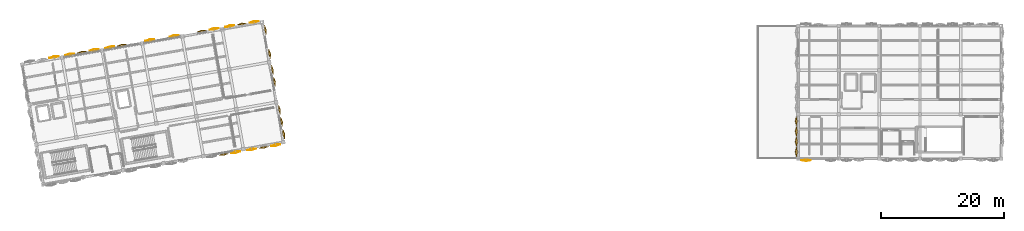
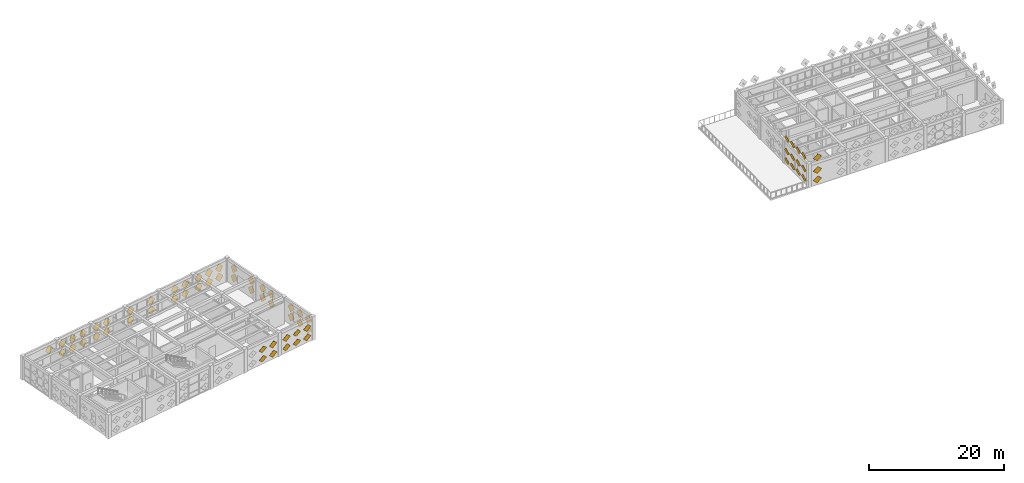
# One storey, part 27 of 29: 64 coverings.
"""IFC4 building model written with IfcOpenShell, lengths in metres."""

from ifc_helpers import new_model, si_unit, direction, frame, origin, place, context, subcontext, project, spatial, polyline, outline, extrude, material, type_object, element, save


model = new_model("IFC4")

# Units and contexts
model_context = context("Model", 3, precision=1e-05, world=origin(), true_north=direction((0.0, 1.0)))
body_context = subcontext(model_context, "Body", "Model", "MODEL_VIEW")
ifc_project = project(units=[si_unit("LENGTHUNIT", "METRE"), si_unit("AREAUNIT", "SQUARE_METRE"), si_unit("VOLUMEUNIT", "CUBIC_METRE"), si_unit("PLANEANGLEUNIT", "RADIAN"), si_unit("MASSUNIT", "GRAM", prefix="KILO")], contexts=[model_context])

# Site, building, storey
site_placement = place(None, origin())
site = spatial("IfcSite", under=ifc_project, at=site_placement, CompositionType="ELEMENT")
building_placement = place(site_placement, origin())
building = spatial("IfcBuilding", under=site, at=building_placement, Name="Kharisveld Research Institute", CompositionType="ELEMENT")
storey_placement = place(building_placement, frame((0.0, 0.0, 32.10009765625)))
storey = spatial("IfcBuildingStorey", under=building, at=storey_placement, Name="L07", CompositionType="ELEMENT", Elevation=32.10009765625)

# Coverings
ifc_material = material(Name="White Powder-Coated Perforated Aluminium", Category="aluminium")
covering_type = type_object("IfcCoveringType", Name="CV_DIA_105", PredefinedType="CLADDING")
covering_1_placement = place(storey_placement, frame((6.960693359375, 55.5654296875, 2.017578125), z_axis=(0.171391321025, -0.971271535422, 0.16509578903), x_axis=(0.676038293912, 0.237842070836, 0.697426250226)))
element("IfcCovering", 1, at=covering_1_placement, inside=storey, type_object=covering_type, material=ifc_material, Name="SHD:V1:L07:N0:S2C1", PredefinedType="CLADDING", context=body_context, shape_type="SweptSolid", body=[
    extrude(outline(polyline([(0.0, 0.0), (1.0501734735939505, -1.1102230246251565e-16), (1.0501599658262741, 1.049914856993047), (0.00015676231294525778, 1.0500851159819262), (0.0, 0.0)])), origin(), (0.0, 0.0, -1.0), 0.02392578125),
])
covering_2_placement = place(storey_placement, frame((9.5146484375, 56.015869140625, 0.317626953125), z_axis=(0.171237830585, -0.971320648866, 0.164966064583), x_axis=(0.676188457252, 0.237643325501, 0.697348420894)))
element("IfcCovering", 2, at=covering_2_placement, inside=storey, type_object=covering_type, material=ifc_material, Name="SHD:V1:L07:N1:S0C0", PredefinedType="CLADDING", context=body_context, shape_type="SweptSolid", body=[
    extrude(outline(polyline([(0.0, 0.0), (1.0499451725130124, 0.0), (1.0497685064748128, 1.0502600664649298), (-0.00018183204494859329, 1.0499148415275723), (0.0, 0.0)])), origin(), (0.0, 0.0, -1.0), 0.02392578125),
])
covering_3_placement = place(storey_placement, frame((9.5146484375, 56.015869140625, 2.017578125), z_axis=(0.171237830585, -0.971320648866, 0.164966064583), x_axis=(0.676072253132, 0.237642047114, 0.697461515776)))
element("IfcCovering", 3, at=covering_3_placement, inside=storey, type_object=covering_type, material=ifc_material, Name="SHD:V1:L07:N1:S0C1", PredefinedType="CLADDING", context=body_context, shape_type="SweptSolid", body=[
    extrude(outline(polyline([(0.0, 0.0), (1.0501154373989794, 0.0), (1.0499388016086548, 1.0500898234312432), (0.00015869960247516524, 1.0500851150823278), (0.0, 0.0)])), origin(), (0.0, 0.0, -1.0), 0.02392578125),
])
for number, where, z_axis, x_axis, name in (
    (4, (11.494140625, 56.326171875, 0.324951171875), (0.169503194288, -0.961481187298, 0.216385289699), (0.669849989418, 0.273447448775, 0.690309701826), "SHD:V1:L07:N1:S1C0"),
    (5, (11.494140625, 56.326171875, 2.025146484375), (0.169503194288, -0.961481187298, 0.216385289699), (0.669849989418, 0.273447448775, 0.690309701826), "SHD:V1:L07:N1:S1C1"),
):
    element("IfcCovering", number, at=place(storey_placement, frame(where, z_axis=z_axis, x_axis=x_axis)), inside=storey, type_object=covering_type, material=ifc_material, Name=name, PredefinedType="CLADDING", context=body_context, shape_type="SweptSolid", body=[
        extrude(outline(polyline([(0.0, 0.0), (1.0500345517563856, -1.1102230246251565e-16), (1.0498172010450848, 1.0501299743656882), (-5.381311622809637e-05, 1.0499534875988095), (0.0, 0.0)])), origin(), (0.0, 0.0, -1.0), 0.02392578125),
    ])
covering_4_placement = place(storey_placement, frame((13.46044921875, 56.711669921875, 0.317626953125), z_axis=(0.171237830585, -0.971320648866, 0.164966064583), x_axis=(0.676188457252, 0.237643325501, 0.697348420894)))
element("IfcCovering", 6, at=covering_4_placement, inside=storey, type_object=covering_type, material=ifc_material, Name="SHD:V1:L07:N1:S2C0", PredefinedType="CLADDING", context=body_context, shape_type="SweptSolid", body=[
    extrude(outline(polyline([(0.0, 0.0), (1.0499451725130124, 0.0), (1.0497685064748128, 1.0502600664649298), (-0.00018183204494859329, 1.0499148415275723), (0.0, 0.0)])), origin(), (0.0, 0.0, -1.0), 0.02392578125),
])
covering_5_placement = place(storey_placement, frame((13.46044921875, 56.711669921875, 2.017578125), z_axis=(0.171237830585, -0.971320648866, 0.164966064583), x_axis=(0.676072253132, 0.237642047114, 0.697461515776)))
element("IfcCovering", 7, at=covering_5_placement, inside=storey, type_object=covering_type, material=ifc_material, Name="SHD:V1:L07:N1:S2C1", PredefinedType="CLADDING", context=body_context, shape_type="SweptSolid", body=[
    extrude(outline(polyline([(0.0, 0.0), (1.0501154373989794, 0.0), (1.0499388016086548, 1.0500898234312432), (0.00015869960247516524, 1.0500851150823278), (0.0, 0.0)])), origin(), (0.0, 0.0, -1.0), 0.02392578125),
])
covering_6_placement = place(storey_placement, frame((16.014404296875, 57.161865234375, 0.317626953125), z_axis=(0.171260983897, -0.971289803558, 0.165123568578), x_axis=(0.67604629243, 0.23777103681, 0.697442717753)))
element("IfcCovering", 8, at=covering_6_placement, inside=storey, type_object=covering_type, material=ifc_material, Name="SHD:V1:L07:N2:S0C0", PredefinedType="CLADDING", context=body_context, shape_type="SweptSolid", body=[
    extrude(outline(polyline([(0.0, 0.0), (1.049780098206416, 0.0), (1.0500015424873141, 1.050083198396327), (-6.879389649716572e-06, 1.0499148526388677), (0.0, 0.0)])), origin(), (0.0, 0.0, -1.0), 0.02392578125),
])
covering_7_placement = place(storey_placement, frame((16.014404296875, 57.161865234375, 2.017578125), z_axis=(0.171260983897, -0.971289803558, 0.165123568578), x_axis=(0.675930071115, 0.237769766688, 0.697555787741)))
element("IfcCovering", 9, at=covering_7_placement, inside=storey, type_object=covering_type, material=ifc_material, Name="SHD:V1:L07:N2:S0C1", PredefinedType="CLADDING", context=body_context, shape_type="SweptSolid", body=[
    extrude(outline(polyline([(0.0, 0.0), (1.0499503861110382, 2.220446049250313e-16), (1.0501718035814118, 1.0499129229334039), (0.0003336699169195212, 1.0500850657008003), (0.0, 0.0)])), origin(), (0.0, 0.0, -1.0), 0.02392578125),
])
for number, where, z_axis, x_axis, name in (
    (10, (17.993896484375, 57.47216796875, 0.324951171875), (0.169530643305, -0.961476347302, 0.21638529192), (0.669725119033, 0.273471090272, 0.690421485559), "SHD:V1:L07:N2:S1C0"),
    (11, (17.993896484375, 57.47216796875, 2.025146484375), (0.169530643305, -0.961476347302, 0.21638529192), (0.669725119033, 0.273471090272, 0.690421485559), "SHD:V1:L07:N2:S1C1"),
):
    element("IfcCovering", number, at=place(storey_placement, frame(where, z_axis=z_axis, x_axis=x_axis)), inside=storey, type_object=covering_type, material=ifc_material, Name=name, PredefinedType="CLADDING", context=body_context, shape_type="SweptSolid", body=[
        extrude(outline(polyline([(0.0, 0.0), (1.0498710291992122, 0.0), (1.0499937163043682, 1.0499534820137317), (0.00012268710515594972, 1.049953482013732), (0.0, 0.0)])), origin(), (0.0, 0.0, -1.0), 0.02392578125),
    ])
covering_8_placement = place(storey_placement, frame((22.51416015625, 58.307861328125, 0.317626953125), z_axis=(0.171233254714, -0.971294692931, 0.165123565742), x_axis=(0.676051002307, 0.237751711802, 0.697444740331)))
element("IfcCovering", 12, at=covering_8_placement, inside=storey, type_object=covering_type, material=ifc_material, Name="SHD:V1:L07:N3:S0C0", PredefinedType="CLADDING", context=body_context, shape_type="SweptSolid", body=[
    extrude(outline(polyline([(0.0, 0.0), (1.0498381448075151, -1.1102230246251565e-16), (1.0499996374060245, 1.0500851033260192), (-0.00011578865901917812, 1.0500879190619687), (0.0, 0.0)])), origin(), (0.0, 0.0, -1.0), 0.02392578125),
])
covering_9_placement = place(storey_placement, frame((22.51416015625, 58.307861328125, 2.017578125), z_axis=(0.171233254714, -0.971294692931, 0.165123565742), x_axis=(0.6759347874, 0.23775044496, 0.697557803414)))
element("IfcCovering", 13, at=covering_9_placement, inside=storey, type_object=covering_type, material=ifc_material, Name="SHD:V1:L07:N3:S0C1", PredefinedType="CLADDING", context=body_context, shape_type="SweptSolid", body=[
    extrude(outline(polyline([(0.0, 0.0), (1.0500084332050879, 2.220446049250313e-16), (1.0501698889036777, 1.049914838079754), (0.00022477929746034242, 1.0502581492900183), (0.0, 0.0)])), origin(), (0.0, 0.0, -1.0), 0.02392578125),
])
covering_10_placement = place(storey_placement, frame((26.4599609375, 59.003662109375, 0.317626953125), z_axis=(0.171390512545, -0.971266953781, 0.165123580094), x_axis=(0.676031665614, 0.237861388292, 0.697426087157)))
element("IfcCovering", 14, at=covering_10_placement, inside=storey, type_object=covering_type, material=ifc_material, Name="SHD:V1:L07:N3:S2C0", PredefinedType="CLADDING", context=body_context, shape_type="SweptSolid", body=[
    extrude(outline(polyline([(0.0, 0.0), (1.0498381561391876, -1.1102230246251565e-16), (1.0499996260726088, 1.050085114658512), (-0.00017384690075150644, 1.050089823895179), (0.0, 0.0)])), origin(), (0.0, 0.0, -1.0), 0.02392578125),
])
covering_11_placement = place(storey_placement, frame((26.4599609375, 59.003662109375, 2.017578125), z_axis=(0.171390512545, -0.971266953781, 0.165123580094), x_axis=(0.675915450738, 0.237860103633, 0.697539156287)))
element("IfcCovering", 15, at=covering_11_placement, inside=storey, type_object=covering_type, material=ifc_material, Name="SHD:V1:L07:N3:S2C1", PredefinedType="CLADDING", context=body_context, shape_type="SweptSolid", body=[
    extrude(outline(polyline([(0.0, 0.0), (1.0500084399835008, 1.1102230246251565e-16), (1.050169882124222, 1.0499148448608564), (0.00016672136570894391, 1.0502600680906586), (0.0, 0.0)])), origin(), (0.0, 0.0, -1.0), 0.02392578125),
])
for number, where, z_axis, x_axis, name in (
    (16, (30.993408203125, 59.764404296875, 0.324951171875), (0.169503194288, -0.961481187298, 0.216385289699), (0.669728459805, 0.273452141042, 0.690425750307), "SHD:V1:L07:N4:S1C0"),
    (17, (30.993408203125, 59.764404296875, 2.025146484375), (0.169503194288, -0.961481187298, 0.216385289699), (0.669728459805, 0.273452141042, 0.690425750307), "SHD:V1:L07:N4:S1C1"),
):
    element("IfcCovering", number, at=place(storey_placement, frame(where, z_axis=z_axis, x_axis=x_axis)), inside=storey, type_object=covering_type, material=ifc_material, Name=name, PredefinedType="CLADDING", context=body_context, shape_type="SweptSolid", body=[
        extrude(outline(polyline([(0.0, 0.0), (1.0498710289953155, -1.1102230246251565e-16), (1.0499937165082887, 1.0499534818098035), (-4.082041178410378e-05, 1.0501299960653954), (0.0, 0.0)])), origin(), (0.0, 0.0, -1.0), 0.02392578125),
    ])
covering_12_placement = place(storey_placement, frame((32.95947265625, 60.14990234375, 0.317626953125), z_axis=(0.171238636855, -0.971325222312, 0.164938296792), x_axis=(0.676191865964, 0.23762399085, 0.697351704219)))
element("IfcCovering", 18, at=covering_12_placement, inside=storey, type_object=covering_type, material=ifc_material, Name="SHD:V1:L07:N4:S2C0", PredefinedType="CLADDING", context=body_context, shape_type="SweptSolid", body=[
    extrude(outline(polyline([(0.0, 0.0), (1.0499451723202433, -1.1102230246251565e-16), (1.0499335917706356, 1.0500851276195962), (-0.00018183243052050102, 1.0499148413347306), (0.0, 0.0)])), origin(), (0.0, 0.0, -1.0), 0.02392578125),
])
covering_13_placement = place(storey_placement, frame((32.95947265625, 60.14990234375, 2.017578125), z_axis=(0.171238636855, -0.971325222312, 0.164938296792), x_axis=(0.676075661849, 0.237622709321, 0.697464800165)))
element("IfcCovering", 19, at=covering_13_placement, inside=storey, type_object=covering_type, material=ifc_material, Name="SHD:V1:L07:N4:S2C1", PredefinedType="CLADDING", context=body_context, shape_type="SweptSolid", body=[
    extrude(outline(polyline([(0.0, 0.0), (1.050115438007933, 0.0), (1.0501038593359955, 1.049914857016463), (0.00015870082029023624, 1.050085115691115), (0.0, 0.0)])), origin(), (0.0, 0.0, -1.0), 0.02392578125),
])
covering_14_placement = place(storey_placement, frame((35.513427734375, 60.60009765625, 0.317626953125), z_axis=(0.171234061711, -0.9712992705, 0.165095800177), x_axis=(0.676172534966, 0.237733660148, 0.69733306948)))
element("IfcCovering", 20, at=covering_14_placement, inside=storey, type_object=covering_type, material=ifc_material, Name="SHD:V1:L07:N5:S0C0", PredefinedType="CLADDING", context=body_context, shape_type="SweptSolid", body=[
    extrude(outline(polyline([(0.0, 0.0), (1.049945167901042, 2.220446049250313e-16), (1.0499916144071415, 1.0500832207180806), (-0.0001818412696886762, 1.0499148369138707), (0.0, 0.0)])), origin(), (0.0, 0.0, -1.0), 0.02392578125),
])
covering_15_placement = place(storey_placement, frame((35.513427734375, 60.60009765625, 2.017578125), z_axis=(0.171234061711, -0.9712992705, 0.165095800177), x_axis=(0.67605633082, 0.237732396439, 0.697446159385)))
element("IfcCovering", 21, at=covering_15_placement, inside=storey, type_object=covering_type, material=ifc_material, Name="SHD:V1:L07:N5:S0C1", PredefinedType="CLADDING", context=body_context, shape_type="SweptSolid", body=[
    extrude(outline(polyline([(0.0, 0.0), (1.050115429038497, -1.1102230246251565e-16), (1.0501618771158647, 1.0499129452537745), (0.00015868288277420817, 1.050085106724131), (0.0, 0.0)])), origin(), (0.0, 0.0, -1.0), 0.02392578125),
])
for number, where, z_axis, x_axis, name in (
    (22, (37.4931640625, 60.910400390625, 0.324951171875), (0.169497253476, -0.961447488939, 0.216539620108), (0.669709514325, 0.273559622879, 0.690401549211), "SHD:V1:L07:N5:S1C0"),
    (23, (37.4931640625, 60.910400390625, 2.025146484375), (0.169497253476, -0.961447488939, 0.216539620108), (0.669709514325, 0.273559622879, 0.690401549211), "SHD:V1:L07:N5:S1C1"),
):
    element("IfcCovering", number, at=place(storey_placement, frame(where, z_axis=z_axis, x_axis=x_axis)), inside=storey, type_object=covering_type, material=ifc_material, Name=name, PredefinedType="CLADDING", context=body_context, shape_type="SweptSolid", body=[
        extrude(outline(polyline([(0.0, 0.0), (1.0498710247482905, 1.1102230246251565e-16), (1.0500604861589913, 1.0499603082606803), (-4.0828905999434895e-05, 1.0501299918190874), (0.0, 0.0)])), origin(), (0.0, 0.0, -1.0), 0.02392578125),
    ])
covering_16_placement = place(storey_placement, frame((39.459228515625, 61.2958984375, 0.317626953125), z_axis=(0.171238636855, -0.971325222312, 0.164938296792), x_axis=(0.676191865964, 0.23762399085, 0.697351704219)))
element("IfcCovering", 24, at=covering_16_placement, inside=storey, type_object=covering_type, material=ifc_material, Name="SHD:V1:L07:N5:S2C0", PredefinedType="CLADDING", context=body_context, shape_type="SweptSolid", body=[
    extrude(outline(polyline([(0.0, 0.0), (1.0499451723202433, -1.1102230246251565e-16), (1.0499335917706356, 1.0500851276195962), (-0.00018183243052050102, 1.0499148413347306), (0.0, 0.0)])), origin(), (0.0, 0.0, -1.0), 0.02392578125),
])
covering_17_placement = place(storey_placement, frame((39.459228515625, 61.2958984375, 2.017578125), z_axis=(0.171238636855, -0.971325222312, 0.164938296792), x_axis=(0.676075661849, 0.237622709321, 0.697464800165)))
element("IfcCovering", 25, at=covering_17_placement, inside=storey, type_object=covering_type, material=ifc_material, Name="SHD:V1:L07:N5:S2C1", PredefinedType="CLADDING", context=body_context, shape_type="SweptSolid", body=[
    extrude(outline(polyline([(0.0, 0.0), (1.050115438007933, 0.0), (1.0501038593359955, 1.049914857016463), (0.00015870082029023624, 1.050085115691115), (0.0, 0.0)])), origin(), (0.0, 0.0, -1.0), 0.02392578125),
])
for number, where, z_axis, x_axis, name in (
    (26, (41.0830078125, 60.1259765625, 0.324951171875), (-0.961453431325, -0.169498301082, 0.216512413788), (0.273536150679, -0.669829678259, 0.690294267972), "SHD:V1:L07:E3:S0C0"),
    (27, (41.0830078125, 60.1259765625, 2.025146484375), (-0.961453431325, -0.169498301082, 0.216512413788), (0.273536150679, -0.669829678259, 0.690294267972), "SHD:V1:L07:E3:S0C1"),
):
    element("IfcCovering", number, at=place(storey_placement, frame(where, z_axis=z_axis, x_axis=x_axis)), inside=storey, type_object=covering_type, material=ifc_material, Name=name, PredefinedType="CLADDING", context=body_context, shape_type="SweptSolid", body=[
        extrude(outline(polyline([(0.0, 0.0), (1.050101326665668, -1.1102230246251565e-16), (1.050054341798497, 1.049953481570866), (1.9796419616024963e-05, 1.0499603230588543), (0.0, 0.0)])), origin(), (0.0, 0.0, -1.0), 0.02392578125),
    ])
for number, where, z_axis, x_axis, name in (
    (28, (41.77880859375, 56.18017578125, 0.324951171875), (-0.961425979727, -0.169653966706, 0.216512394765), (0.27364360613, -0.669810730042, 0.69027006508), "SHD:V1:L07:E3:S2C0"),
    (29, (41.77880859375, 56.18017578125, 2.025146484375), (-0.961425979727, -0.169653966706, 0.216512394765), (0.27364360613, -0.669810730042, 0.69027006508), "SHD:V1:L07:E3:S2C1"),
):
    element("IfcCovering", number, at=place(storey_placement, frame(where, z_axis=z_axis, x_axis=x_axis)), inside=storey, type_object=covering_type, material=ifc_material, Name=name, PredefinedType="CLADDING", context=body_context, shape_type="SweptSolid", body=[
        extrude(outline(polyline([(0.0, 0.0), (1.0501013332243323, 1.1102230246251565e-16), (1.050054335240126, 1.049953488129867), (-4.699798420648715e-05, 1.049953488129867), (0.0, 0.0)])), origin(), (0.0, 0.0, -1.0), 0.02392578125),
    ])
for number, where, z_axis, x_axis, name in (
    (30, (42.229248046875, 53.626220703125, 0.324951171875), (-0.961481187298, -0.169503194288, 0.216385289699), (0.273447448775, -0.669849989418, 0.690309701826), "SHD:V1:L07:E2:S0C0"),
    (31, (42.229248046875, 53.626220703125, 2.025146484375), (-0.961481187298, -0.169503194288, 0.216385289699), (0.273447448775, -0.669849989418, 0.690309701826), "SHD:V1:L07:E2:S0C1"),
    (32, (42.5771484375, 51.6533203125, 0.324951171875), (-0.961481187298, -0.169503194288, 0.216385289699), (0.273447448775, -0.669849989418, 0.690309701826), "SHD:V1:L07:E2:S1C0"),
    (33, (42.5771484375, 51.6533203125, 2.025146484375), (-0.961481187298, -0.169503194288, 0.216385289699), (0.273447448775, -0.669849989418, 0.690309701826), "SHD:V1:L07:E2:S1C1"),
):
    element("IfcCovering", number, at=place(storey_placement, frame(where, z_axis=z_axis, x_axis=x_axis)), inside=storey, type_object=covering_type, material=ifc_material, Name=name, PredefinedType="CLADDING", context=body_context, shape_type="SweptSolid", body=[
        extrude(outline(polyline([(0.0, 0.0), (1.0500345517563856, -1.1102230246251565e-16), (1.0498172010450848, 1.0501299743656882), (-5.381311622809637e-05, 1.0499534875988095), (0.0, 0.0)])), origin(), (0.0, 0.0, -1.0), 0.02392578125),
    ])
for number, where, z_axis, x_axis, name in (
    (34, (43.375244140625, 47.12646484375, 0.324951171875), (-0.961447488939, -0.169497253476, 0.216539620108), (0.273554912423, -0.669831050307, 0.690285501755), "SHD:V1:L07:E1:S0C0"),
    (35, (43.375244140625, 47.12646484375, 2.025146484375), (-0.961447488939, -0.169497253476, 0.216539620108), (0.273554912423, -0.669831050307, 0.690285501755), "SHD:V1:L07:E1:S0C1"),
):
    element("IfcCovering", number, at=place(storey_placement, frame(where, z_axis=z_axis, x_axis=x_axis)), inside=storey, type_object=covering_type, material=ifc_material, Name=name, PredefinedType="CLADDING", context=body_context, shape_type="SweptSolid", body=[
        extrude(outline(polyline([(0.0, 0.0), (1.0500345428847768, 1.1102230246251565e-16), (1.0498839649209004, 1.0501368166659475), (-5.383085990073866e-05, 1.0499534787256062), (0.0, 0.0)])), origin(), (0.0, 0.0, -1.0), 0.02392578125),
    ])
for number, where, z_axis, x_axis, name in (
    (36, (43.72314453125, 45.153564453125, 0.324951171875), (-0.961481187298, -0.169503194288, 0.216385289699), (0.273447448775, -0.669849989418, 0.690309701826), "SHD:V1:L07:E1:S1C0"),
    (37, (43.72314453125, 45.153564453125, 2.025146484375), (-0.961481187298, -0.169503194288, 0.216385289699), (0.273447448775, -0.669849989418, 0.690309701826), "SHD:V1:L07:E1:S1C1"),
    (38, (44.071044921875, 43.1806640625, 0.324951171875), (-0.961481187298, -0.169503194288, 0.216385289699), (0.273447448775, -0.669849989418, 0.690309701826), "SHD:V1:L07:E1:S2C0"),
    (39, (44.071044921875, 43.1806640625, 2.025146484375), (-0.961481187298, -0.169503194288, 0.216385289699), (0.273447448775, -0.669849989418, 0.690309701826), "SHD:V1:L07:E1:S2C1"),
):
    element("IfcCovering", number, at=place(storey_placement, frame(where, z_axis=z_axis, x_axis=x_axis)), inside=storey, type_object=covering_type, material=ifc_material, Name=name, PredefinedType="CLADDING", context=body_context, shape_type="SweptSolid", body=[
        extrude(outline(polyline([(0.0, 0.0), (1.0500345517563856, -1.1102230246251565e-16), (1.0498172010450848, 1.0501299743656882), (-5.381311622809637e-05, 1.0499534875988095), (0.0, 0.0)])), origin(), (0.0, 0.0, -1.0), 0.02392578125),
    ])
covering_18_placement = place(storey_placement, frame((42.9453125, 41.52587890625, 0.317626953125), z_axis=(-0.171238636855, 0.971325222312, 0.164938296792), x_axis=(-0.676191865964, -0.23762399085, 0.697351704219)))
element("IfcCovering", 40, at=covering_18_placement, inside=storey, type_object=covering_type, material=ifc_material, Name="SHD:V1:L07:S6:S0C0", PredefinedType="CLADDING", context=body_context, shape_type="SweptSolid", body=[
    extrude(outline(polyline([(0.0, 0.0), (1.0499451723202433, -1.1102230246251565e-16), (1.0499335917706356, 1.0500851276195962), (-0.00018183243052050102, 1.0499148413347306), (0.0, 0.0)])), origin(), (0.0, 0.0, -1.0), 0.02392578125),
])
covering_19_placement = place(storey_placement, frame((42.9453125, 41.52587890625, 2.017578125), z_axis=(-0.171238636855, 0.971325222312, 0.164938296792), x_axis=(-0.676075661849, -0.237622709321, 0.697464800165)))
element("IfcCovering", 41, at=covering_19_placement, inside=storey, type_object=covering_type, material=ifc_material, Name="SHD:V1:L07:S6:S0C1", PredefinedType="CLADDING", context=body_context, shape_type="SweptSolid", body=[
    extrude(outline(polyline([(0.0, 0.0), (1.050115438007933, 0.0), (1.0501038593359955, 1.049914857016463), (0.00015870082029023624, 1.050085115691115), (0.0, 0.0)])), origin(), (0.0, 0.0, -1.0), 0.02392578125),
])
for number, where, z_axis, x_axis, name in (
    (42, (40.9658203125, 41.215576171875, 0.324951171875), (-0.169504241221, 0.961487125864, 0.216358080518), (-0.669853329409, -0.27342850239, 0.690313965642), "SHD:V1:L07:S6:S1C0"),
    (43, (40.9658203125, 41.215576171875, 2.025146484375), (-0.169504241221, 0.961487125864, 0.216358080518), (-0.669853329409, -0.27342850239, 0.690313965642), "SHD:V1:L07:S6:S1C1"),
):
    element("IfcCovering", number, at=place(storey_placement, frame(where, z_axis=z_axis, x_axis=x_axis)), inside=storey, type_object=covering_type, material=ifc_material, Name=name, PredefinedType="CLADDING", context=body_context, shape_type="SweptSolid", body=[
        extrude(outline(polyline([(0.0, 0.0), (1.0500345519602505, 0.0), (1.0499807392517624, 1.0499534878027108), (-5.381270848814346e-05, 1.049953487802711), (0.0, 0.0)])), origin(), (0.0, 0.0, -1.0), 0.02392578125),
    ])
covering_20_placement = place(storey_placement, frame((38.99951171875, 40.830078125, 0.317626953125), z_axis=(-0.171238636855, 0.971325222312, 0.164938296792), x_axis=(-0.676191865964, -0.23762399085, 0.697351704219)))
element("IfcCovering", 44, at=covering_20_placement, inside=storey, type_object=covering_type, material=ifc_material, Name="SHD:V1:L07:S6:S2C0", PredefinedType="CLADDING", context=body_context, shape_type="SweptSolid", body=[
    extrude(outline(polyline([(0.0, 0.0), (1.0499451723202433, -1.1102230246251565e-16), (1.0499335917706356, 1.0500851276195962), (-0.00018183243052050102, 1.0499148413347306), (0.0, 0.0)])), origin(), (0.0, 0.0, -1.0), 0.02392578125),
])
covering_21_placement = place(storey_placement, frame((38.99951171875, 40.830078125, 2.017578125), z_axis=(-0.171238636855, 0.971325222312, 0.164938296792), x_axis=(-0.676075661849, -0.237622709321, 0.697464800165)))
element("IfcCovering", 45, at=covering_21_placement, inside=storey, type_object=covering_type, material=ifc_material, Name="SHD:V1:L07:S6:S2C1", PredefinedType="CLADDING", context=body_context, shape_type="SweptSolid", body=[
    extrude(outline(polyline([(0.0, 0.0), (1.050115438007933, 0.0), (1.0501038593359955, 1.049914857016463), (0.00015870082029023624, 1.050085115691115), (0.0, 0.0)])), origin(), (0.0, 0.0, -1.0), 0.02392578125),
])
covering_22_placement = place(storey_placement, frame((36.445556640625, 40.3798828125, 0.317626953125), z_axis=(-0.171391321025, 0.971271535422, 0.16509578903), x_axis=(-0.676154491616, -0.237843352225, 0.697313160116)))
element("IfcCovering", 46, at=covering_22_placement, inside=storey, type_object=covering_type, material=ifc_material, Name="SHD:V1:L07:S5:S0C0", PredefinedType="CLADDING", context=body_context, shape_type="SweptSolid", body=[
    extrude(outline(polyline([(0.0, 0.0), (1.050003217317155, -1.1102230246251565e-16), (1.0499897073592166, 1.0500851275961767), (-0.00018375242866985886, 1.0499148410000858), (0.0, 0.0)])), origin(), (0.0, 0.0, -1.0), 0.02392578125),
])
covering_23_placement = place(storey_placement, frame((36.445556640625, 40.3798828125, 2.017578125), z_axis=(-0.171391321025, 0.971271535422, 0.16509578903), x_axis=(-0.676038293912, -0.237842070836, 0.697426250226)))
element("IfcCovering", 47, at=covering_23_placement, inside=storey, type_object=covering_type, material=ifc_material, Name="SHD:V1:L07:S5:S0C1", PredefinedType="CLADDING", context=body_context, shape_type="SweptSolid", body=[
    extrude(outline(polyline([(0.0, 0.0), (1.0501734735939505, -1.1102230246251565e-16), (1.0501599658262741, 1.049914856993047), (0.00015676231294525778, 1.0500851159819262), (0.0, 0.0)])), origin(), (0.0, 0.0, -1.0), 0.02392578125),
])
for number, where, z_axis, x_axis, name in (
    (48, (34.466064453125, 40.069580078125, 0.324951171875), (-0.169498301082, 0.961453431325, 0.216512413788), (-0.669834388355, -0.273535968092, 0.690289769834), "SHD:V1:L07:S5:S1C0"),
    (49, (34.466064453125, 40.069580078125, 2.025146484375), (-0.169498301082, 0.961453431325, 0.216512413788), (-0.669834388355, -0.273535968092, 0.690289769834), "SHD:V1:L07:S5:S1C1"),
):
    element("IfcCovering", number, at=place(storey_placement, frame(where, z_axis=z_axis, x_axis=x_axis)), inside=storey, type_object=covering_type, material=ifc_material, Name=name, PredefinedType="CLADDING", context=body_context, shape_type="SweptSolid", body=[
        extrude(outline(polyline([(0.0, 0.0), (1.0500345454011688, 0.0), (1.0500475008163912, 1.049960323165551), (-5.3825826987430325e-05, 1.0499534812424507), (0.0, 0.0)])), origin(), (0.0, 0.0, -1.0), 0.02392578125),
    ])
for number, where, z_axis, x_axis, name in (
    (50, (127.70068359375, 40.302490234375, 0.324951171875), (0.97631069788, 0.0, 0.216373337556), (-0.153000063457, 0.707102116981, 0.6903604687), "SHD:V2:L07:W0:S0C0"),
    (51, (127.70068359375, 40.302490234375, 2.025146484375), (0.97631069788, 0.0, 0.216373337556), (-0.153000063457, 0.707102116981, 0.6903604687), "SHD:V2:L07:W0:S0C1"),
    (52, (127.70068359375, 40.302490234375, 4.324951171875), (0.97631069788, 0.0, 0.216373337556), (-0.153000063457, 0.707102116981, 0.6903604687), "SHD:V2:L07:W0:S0C2"),
    (53, (127.70068359375, 41.967529296875, 0.324951171875), (0.97631069788, 0.0, 0.216373337556), (-0.153000063457, 0.707102116981, 0.6903604687), "SHD:V2:L07:W0:S1C0"),
    (54, (127.70068359375, 41.967529296875, 2.025146484375), (0.97631069788, 0.0, 0.216373337556), (-0.153000063457, 0.707102116981, 0.6903604687), "SHD:V2:L07:W0:S1C1"),
    (55, (127.70068359375, 41.967529296875, 4.324951171875), (0.97631069788, 0.0, 0.216373337556), (-0.153000063457, 0.707102116981, 0.6903604687), "SHD:V2:L07:W0:S1C2"),
    (56, (127.70068359375, 43.632568359375, 0.324951171875), (0.97631069788, 0.0, 0.216373337556), (-0.153000063457, 0.707102116981, 0.6903604687), "SHD:V2:L07:W0:S2C0"),
    (57, (127.70068359375, 43.632568359375, 2.025146484375), (0.97631069788, 0.0, 0.216373337556), (-0.153000063457, 0.707102116981, 0.6903604687), "SHD:V2:L07:W0:S2C1"),
    (58, (127.70068359375, 43.632568359375, 4.324951171875), (0.97631069788, 0.0, 0.216373337556), (-0.153000063457, 0.707102116981, 0.6903604687), "SHD:V2:L07:W0:S2C2"),
):
    element("IfcCovering", number, at=place(storey_placement, frame(where, z_axis=z_axis, x_axis=x_axis)), inside=storey, type_object=covering_type, material=ifc_material, Name=name, PredefinedType="CLADDING", context=body_context, shape_type="SweptSolid", body=[
        extrude(outline(polyline([(0.0, 0.0), (1.0499638210603182, 0.0), (1.0499776725217052, 1.0499638209689517), (1.3851461386993336e-05, 1.0499638209689517), (0.0, 0.0)])), origin(), (0.0, 0.0, -1.0), 0.02392578125),
    ])
for number, where, z_axis, x_axis, name in (
    (59, (127.70068359375, 45.297607421875, 0.324951171875), (0.97631069788, 0.0, 0.216373337556), (-0.153000063457, 0.707102116981, 0.6903604687), "SHD:V2:L07:W0:S3C0"),
    (60, (127.70068359375, 45.297607421875, 2.025146484375), (0.97631069788, 0.0, 0.216373337556), (-0.153000063457, 0.707102116981, 0.6903604687), "SHD:V2:L07:W0:S3C1"),
    (61, (127.70068359375, 45.297607421875, 4.324951171875), (0.97631069788, 0.0, 0.216373337556), (-0.153000063457, 0.707102116981, 0.6903604687), "SHD:V2:L07:W0:S3C2"),
):
    element("IfcCovering", number, at=place(storey_placement, frame(where, z_axis=z_axis, x_axis=x_axis)), inside=storey, type_object=covering_type, material=ifc_material, Name=name, PredefinedType="CLADDING", context=body_context, shape_type="SweptSolid", body=[
        extrude(outline(polyline([(0.0, 0.0), (1.0499638210603182, 0.0), (1.0499776725217052, 1.0499638209689517), (-0.00015878089139154117, 1.050136455599167), (0.0, 0.0)])), origin(), (0.0, 0.0, -1.0), 0.02392578125),
    ])
covering_24_placement = place(storey_placement, frame((129.080078125, 39.0625, 0.317626953125), z_axis=(0.0, 0.986282612269, 0.165065468031), x_axis=(-0.707138821552, -0.116713622787, 0.697375521014)))
element("IfcCovering", 62, at=covering_24_placement, inside=storey, type_object=covering_type, material=ifc_material, Name="SHD:V2:L07:S3:S2C0", PredefinedType="CLADDING", context=body_context, shape_type="SweptSolid", body=[
    extrude(outline(polyline([(0.0, 0.0), (1.049909321899567, 0.0), (1.0499844306250534, 1.0500795907141018), (-9.51489700736774e-05, 1.049909317588087), (0.0, 0.0)])), origin(), (0.0, 0.0, -1.0), 0.02392578125),
])
covering_25_placement = place(storey_placement, frame((129.080078125, 39.0625, 2.017578125), z_axis=(0.0, 0.986282612269, 0.165065468031), x_axis=(-0.707024158255, -0.116732548384, 0.697488603341)))
element("IfcCovering", 63, at=covering_25_placement, inside=storey, type_object=covering_type, material=ifc_material, Name="SHD:V2:L07:S3:S2C1", PredefinedType="CLADDING", context=body_context, shape_type="SweptSolid", body=[
    extrude(outline(polyline([(0.0, 0.0), (1.0500795934002414, -1.1102230246251565e-16), (1.0501546899467695, 1.0499093192138629), (0.0002453818500782745, 1.0500795647299133), (0.0, 0.0)])), origin(), (0.0, 0.0, -1.0), 0.02392578125),
])
covering_26_placement = place(storey_placement, frame((129.080078125, 39.0625, 4.317626953125), z_axis=(0.0, 0.986282612269, 0.165065468031), x_axis=(-0.707138821552, -0.116713622787, 0.697375521014)))
element("IfcCovering", 64, at=covering_26_placement, inside=storey, type_object=covering_type, material=ifc_material, Name="SHD:V2:L07:S3:S2C2", PredefinedType="CLADDING", context=body_context, shape_type="SweptSolid", body=[
    extrude(outline(polyline([(0.0, 0.0), (1.049909321899567, 0.0), (1.0499844306250534, 1.0500795907141018), (-9.51489700736774e-05, 1.049909317588087), (0.0, 0.0)])), origin(), (0.0, 0.0, -1.0), 0.02392578125),
])

save(model, "model.ifc")
